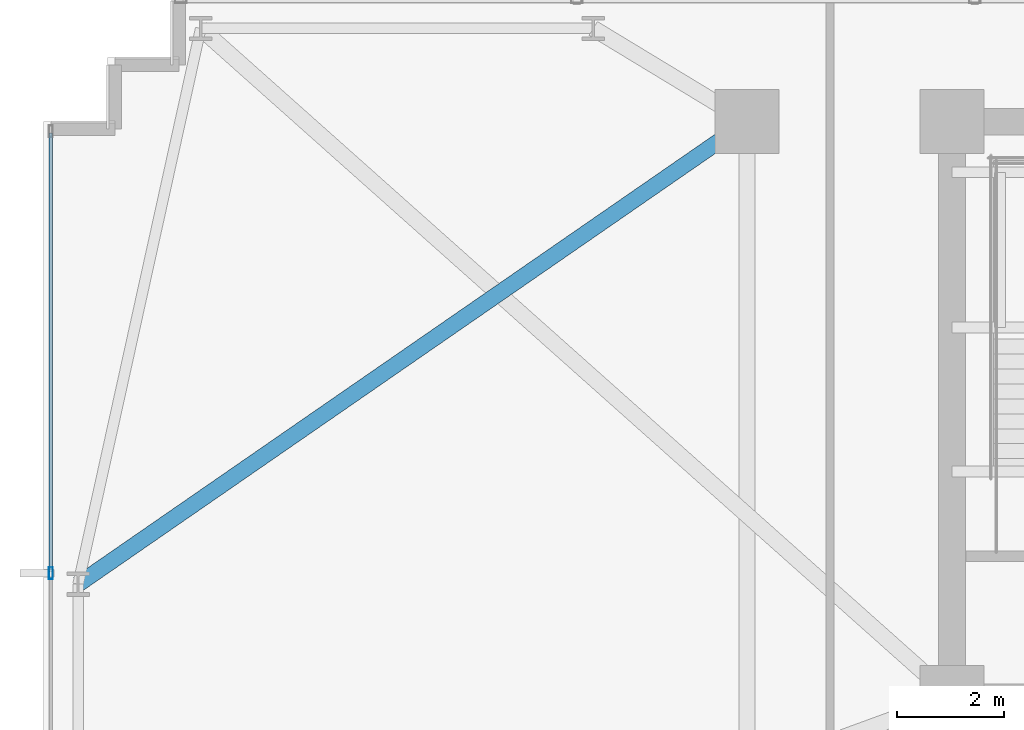
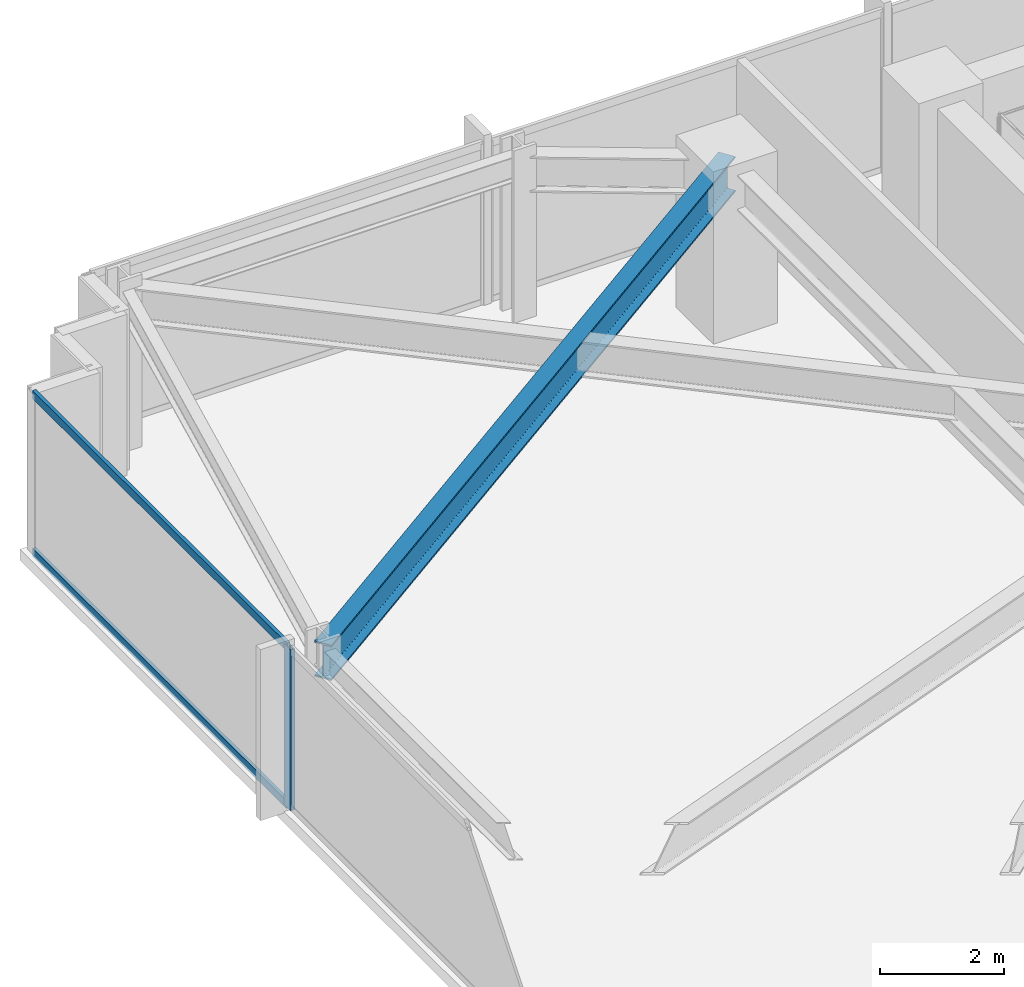
# One storey, part 9 of 33: 3 members, 1 beam, 1 element without a shape of its own.
"""IFC4 building model written with IfcOpenShell, lengths in metres."""

from ifc_helpers import new_model, si_unit, direction, frame, origin, origin_2d, place, context, subcontext, project, spatial, hollow_rectangle, i_section, extrude, material, material_profile, profile_set, type_object, element, aggregate, save


model = new_model("IFC4")

# Units and contexts
model_context = context("Model", 3, precision=1e-05, world=origin(), true_north=direction((0.0, 1.0)))
body_context = subcontext(model_context, "Body", "Model", "MODEL_VIEW")
ifc_project = project(units=[si_unit("LENGTHUNIT", "METRE"), si_unit("AREAUNIT", "SQUARE_METRE"), si_unit("VOLUMEUNIT", "CUBIC_METRE"), si_unit("PLANEANGLEUNIT", "RADIAN"), si_unit("MASSUNIT", "GRAM", prefix="KILO")], contexts=[model_context])

# Site, building, storey
site_placement = place(None, origin())
site = spatial("IfcSite", under=ifc_project, at=site_placement, CompositionType="ELEMENT")
building_placement = place(site_placement, origin())
building = spatial("IfcBuilding", under=site, at=building_placement, Name="Yelkora Congress Tower", CompositionType="ELEMENT")
storey_placement = place(building_placement, frame((0.0, 0.0, 37.199951171875)))
storey = spatial("IfcBuildingStorey", under=building, at=storey_placement, Name="L08", CompositionType="ELEMENT", Elevation=37.199951171875)

# Beam
ifc_material_1 = material(Name="Steel S355J2", Category="steel")
ifc_material_profile_1 = material_profile(ifc_material_1, i_section(OverallWidth=0.300048828125, OverallDepth=0.699951171875, WebThickness=0.01708984375, FlangeThickness=0.031982421875, FilletRadius=0.027099609375, at=origin_2d()), Name="HEB 700")
ifc_profile_set_1 = profile_set([ifc_material_profile_1], Name="Steel S355J2")
beam_type = type_object("IfcBeamType", Name="BM-GIRD-HEB700", PredefinedType="BEAM", material=ifc_profile_set_1)
beam_placement = place(storey_placement, frame((6.64990234375, 37.52490234375, 2.830078125), z_axis=(0.822604454175, 0.568614027238, 0.0), x_axis=(-0.568614027238, 0.822604454175, 0.0)))
element("IfcBeam", 1, at=beam_placement, inside=storey, type_object=beam_type, Name="L08 Primary Frame Girder W03", PredefinedType="BEAM", context=body_context, shape_type="SweptSolid", body=[
    extrude(i_section(OverallWidth=0.300048828125, OverallDepth=0.699951171875, WebThickness=0.01708984375, FlangeThickness=0.031982421875, FilletRadius=0.027099609375, at=origin_2d()), origin(), (0.0, 0.0, 1.0), 15.256591796875),
])

# Curtain wall, members
ifc_material_2 = material(Name="Anodised aluminium and insulated glass", Category="aluminium")
curtain_wall_type = type_object("IfcCurtainWallType", Name="CW-SYS-B1", PredefinedType="NOTDEFINED", material=ifc_material_2)
curtain_wall_placement = place(storey_placement, origin())
curtain_wall = element("IfcCurtainWall", 2, at=curtain_wall_placement, inside=storey, type_object=curtain_wall_type, Name="L08 Unitised Curtain Wall 5", PredefinedType="NOTDEFINED")
ifc_material_3 = material(Name="Anodised aluminium 6063-T6", Category="aluminium")
ifc_material_profile_2 = material_profile(ifc_material_3, hollow_rectangle(XDim=0.074951171875, YDim=0.219970703125, WallThickness=0.0048828125, at=origin_2d()), Name="ALU 75x220x5")
ifc_profile_set_2 = profile_set([ifc_material_profile_2], Name="Anodised aluminium 6063-T6")
member_type_1 = type_object("IfcMemberType", Name="MEM-ML-B1", PredefinedType="MULLION", material=ifc_profile_set_2)
member_1_placement = place(storey_placement, frame((6.139892578125, 37.72998046875, 0.0), z_axis=(0.0, 0.0, 1.0), x_axis=(-1.0, 0.0, 0.0)))
member_1 = element("IfcMember", 3, at=member_1_placement, type_object=member_type_1, Name="CW-B1 mullion 4", PredefinedType="MULLION", context=body_context, shape_type="SweptSolid", body=[
    extrude(hollow_rectangle(XDim=0.074951171875, YDim=0.219970703125, WallThickness=0.0048828125, at=origin_2d()), origin(), (0.0, 0.0, 1.0), 3.179931640625),
])
ifc_material_profile_3 = material_profile(ifc_material_3, hollow_rectangle(XDim=0.06494140625, YDim=0.159912109375, WallThickness=0.00390625, at=origin_2d()), Name="ALU 65x160x4")
ifc_profile_set_3 = profile_set([ifc_material_profile_3], Name="Anodised aluminium 6063-T6")
member_type_2 = type_object("IfcMemberType", Name="MEM-TR-B1", PredefinedType="USERDEFINED", material=ifc_profile_set_3)
member_2_placement = place(storey_placement, frame((6.139892578125, 37.767578125, 0.032470703125), z_axis=(0.0, 1.0, 0.0), x_axis=(-1.0, 0.0, 0.0)))
member_2 = element("IfcMember", 4, at=member_2_placement, type_object=member_type_2, Name="CW-B1 transom 4.1", ObjectType="TRANSOM", PredefinedType="USERDEFINED", context=body_context, shape_type="SweptSolid", body=[
    extrude(hollow_rectangle(XDim=0.06494140625, YDim=0.159912109375, WallThickness=0.00390625, at=origin_2d()), origin(), (0.0, 0.0, 1.0), 8.217529296875),
])
member_3_placement = place(storey_placement, frame((6.139892578125, 37.767578125, 3.1474609375), z_axis=(0.0, 1.0, 0.0), x_axis=(-1.0, 0.0, 0.0)))
member_3 = element("IfcMember", 5, at=member_3_placement, type_object=member_type_2, Name="CW-B1 transom 4.2", ObjectType="TRANSOM", PredefinedType="USERDEFINED", context=body_context, shape_type="SweptSolid", body=[
    extrude(hollow_rectangle(XDim=0.06494140625, YDim=0.159912109375, WallThickness=0.00390625, at=origin_2d()), origin(), (0.0, 0.0, 1.0), 8.217529296875),
])
aggregate(curtain_wall, [member_1, member_2, member_3])

save(model, "model.ifc")
